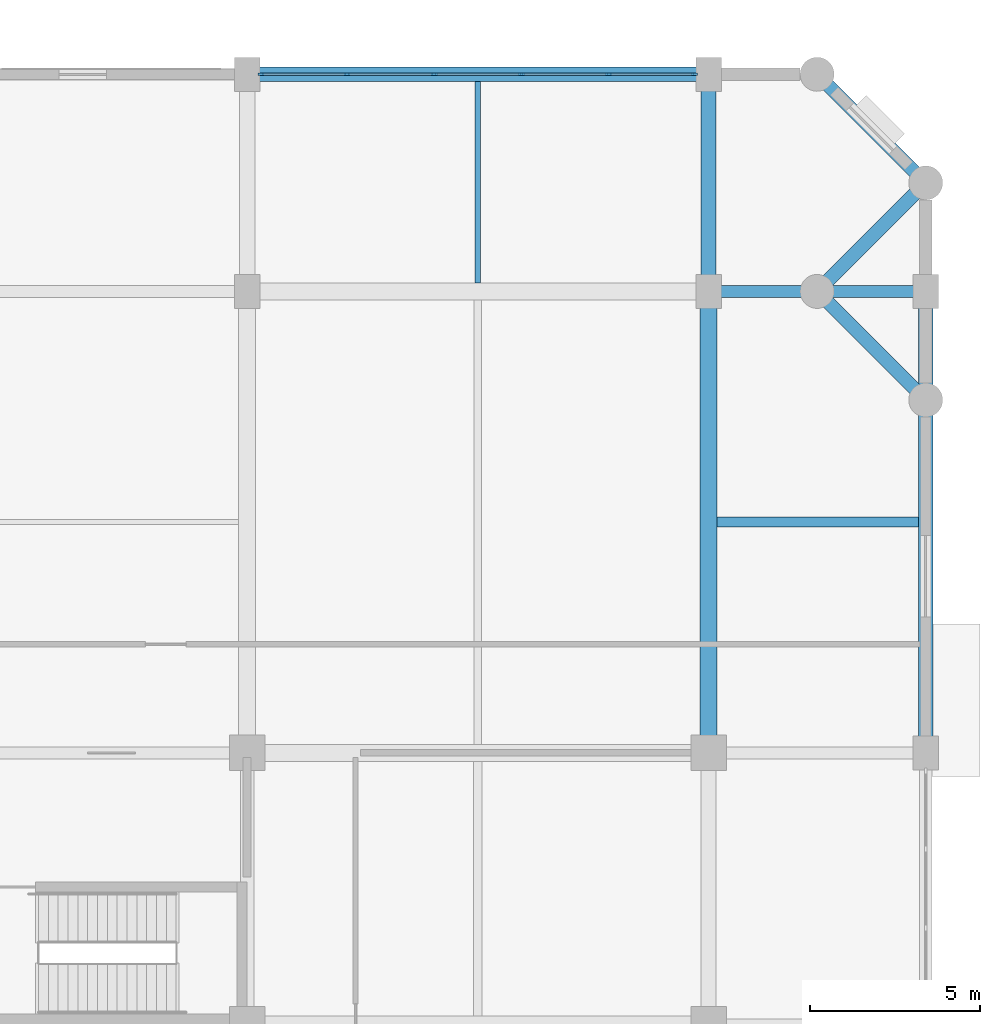
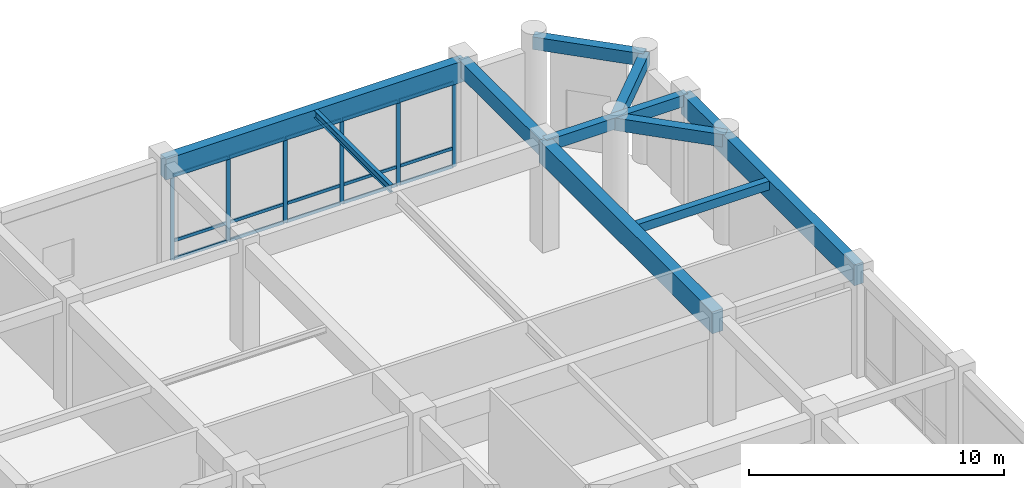
# One storey, part 19 of 40: 21 members, 10 beams, 1 element without a shape of its own.
"""IFC4 building model written with IfcOpenShell, lengths in metres."""

from ifc_helpers import new_model, si_unit, direction, frame, origin, origin_2d, place, context, subcontext, project, spatial, rectangle, i_section, extrude, material, material_profile, profile_set, type_object, element, aggregate, save


model = new_model("IFC4")

# Units and contexts
model_context = context("Model", 3, precision=1e-05, world=origin(), true_north=direction((0.0, 1.0)))
body_context = subcontext(model_context, "Body", "Model", "MODEL_VIEW")
ifc_project = project(units=[si_unit("LENGTHUNIT", "METRE"), si_unit("AREAUNIT", "SQUARE_METRE"), si_unit("VOLUMEUNIT", "CUBIC_METRE"), si_unit("PLANEANGLEUNIT", "RADIAN"), si_unit("MASSUNIT", "GRAM", prefix="KILO")], contexts=[model_context])

# Site, building, storey
site_placement = place(None, origin())
site = spatial("IfcSite", under=ifc_project, at=site_placement, CompositionType="ELEMENT")
building_placement = place(site_placement, origin())
building = spatial("IfcBuilding", under=site, at=building_placement, Name="Vellmiral Cinema and Media Centre", CompositionType="ELEMENT")
storey_placement = place(building_placement, origin())
storey = spatial("IfcBuildingStorey", under=building, at=storey_placement, Name="L00", CompositionType="ELEMENT", Elevation=0.0)

# Beams
ifc_material_1 = material(Name="Concrete C40/50", Category="concrete")
ifc_material_profile_1 = material_profile(ifc_material_1, rectangle(XDim=0.35009765625, YDim=0.550048828125, at=origin_2d()), Name="RC 350x550")
ifc_profile_set_1 = profile_set([ifc_material_profile_1], Name="Concrete C40/50")
beam_type_1 = type_object("IfcBeamType", Name="BM-RC-350x550", PredefinedType="BEAM", material=ifc_profile_set_1)
beam_1_placement = place(storey_placement, frame((161.60009765625, 108.800048828125, 4.800048828125), z_axis=(1.0, 0.0, 0.0), x_axis=(0.0, 1.0, 0.0)))
element("IfcBeam", 1, at=beam_1_placement, inside=storey, type_object=beam_type_1, Name="Grid Beam L00-X181", PredefinedType="BEAM", context=body_context, shape_type="SweptSolid", body=[
    extrude(rectangle(XDim=0.35009765625, YDim=0.550048828125, at=origin_2d()), origin(), (0.0, 0.0, 1.0), 6.39990234375),
])
ifc_material_2 = material(Name="Concrete C40/50", Category="concrete")
ifc_material_profile_2 = material_profile(ifc_material_2, rectangle(XDim=0.449951171875, YDim=0.75, at=origin_2d()), Name="RC 450x750")
ifc_profile_set_2 = profile_set([ifc_material_profile_2], Name="Concrete C40/50")
beam_type_2 = type_object("IfcBeamType", Name="BM-RC-450x750", PredefinedType="BEAM", material=ifc_profile_set_2)
beam_2_placement = place(storey_placement, frame((161.60009765625, 108.800048828125, 4.699951171875), z_axis=(0.0, 1.0, 0.0), x_axis=(-1.0, 0.0, 0.0)))
element("IfcBeam", 2, at=beam_2_placement, inside=storey, type_object=beam_type_2, Name="Grid Beam L00-Y363", PredefinedType="BEAM", context=body_context, shape_type="SweptSolid", body=[
    extrude(rectangle(XDim=0.449951171875, YDim=0.75, at=origin_2d()), origin(), (0.0, 0.0, 1.0), 6.39990234375),
])
ifc_material_3 = material(Name="Concrete C40/50", Category="concrete")
ifc_material_profile_3 = material_profile(ifc_material_3, rectangle(XDim=0.5, YDim=1.050048828125, at=origin_2d()), Name="RC 500x1050")
ifc_profile_set_3 = profile_set([ifc_material_profile_3], Name="Concrete C40/50")
beam_type_3 = type_object("IfcBeamType", Name="BM-RCG-500x1050", PredefinedType="BEAM", material=ifc_profile_set_3)
beam_3_placement = place(storey_placement, frame((161.60009765625, 95.199951171875, 4.550048828125), z_axis=(0.0, 1.0, 0.0), x_axis=(-1.0, 0.0, 0.0)))
element("IfcBeam", 3, at=beam_3_placement, inside=storey, type_object=beam_type_3, Name="Grid Beam L00-Y362", PredefinedType="BEAM", context=body_context, shape_type="SweptSolid", body=[
    extrude(rectangle(XDim=0.5, YDim=1.050048828125, at=origin_2d()), origin(), (0.0, 0.0, 1.0), 13.60009765625),
])

# Curtain wall, members
ifc_material_4 = material(Name="Thermally Broken Aluminium and Triple Glazing", Category="aluminium")
curtain_wall_type = type_object("IfcCurtainWallType", Name="CW-LIB-BAY", PredefinedType="USERDEFINED", material=ifc_material_4)
curtain_wall_placement = place(storey_placement, origin())
curtain_wall = element("IfcCurtainWall", 4, at=curtain_wall_placement, inside=storey, type_object=curtain_wall_type, Name="Curtain Wall L00-B047", ObjectType="STICK CURTAIN WALL", PredefinedType="USERDEFINED")
ifc_material_5 = material(Name="Thermally Broken Anodised Aluminium", Category="aluminium")
ifc_material_profile_4 = material_profile(ifc_material_5, rectangle(XDim=0.070068359375, YDim=0.179931640625, at=origin_2d()), Name="MULL 70x180")
ifc_profile_set_4 = profile_set([ifc_material_profile_4], Name="Thermally Broken Anodised Aluminium")
member_type_1 = type_object("IfcMemberType", Name="CWM-70x180", PredefinedType="MULLION", material=ifc_profile_set_4)
member_1_placement = place(storey_placement, frame((161.18994140625, 115.199951171875, 0.0), z_axis=(0.0, 0.0, 1.0), x_axis=(0.0, -1.0, 0.0)))
member_1 = element("IfcMember", 5, at=member_1_placement, type_object=member_type_1, Name="CW-03 mullion 1", PredefinedType="MULLION", context=body_context, shape_type="SweptSolid", body=[
    extrude(rectangle(XDim=0.070068359375, YDim=0.179931640625, at=origin_2d()), origin(), (0.0, 0.0, 1.0), 4.06494140625),
])
member_2_placement = place(storey_placement, frame((158.655029296875, 115.199951171875, 0.0), z_axis=(0.0, 0.0, 1.0), x_axis=(0.0, -1.0, 0.0)))
member_2 = element("IfcMember", 6, at=member_2_placement, type_object=member_type_1, Name="CW-03 mullion 2", PredefinedType="MULLION", context=body_context, shape_type="SweptSolid", body=[
    extrude(rectangle(XDim=0.070068359375, YDim=0.179931640625, at=origin_2d()), origin(), (0.0, 0.0, 1.0), 4.06494140625),
])
member_3_placement = place(storey_placement, frame((156.0849609375, 115.199951171875, 0.0), z_axis=(0.0, 0.0, 1.0), x_axis=(0.0, -1.0, 0.0)))
member_3 = element("IfcMember", 7, at=member_3_placement, type_object=member_type_1, Name="CW-03 mullion 3", PredefinedType="MULLION", context=body_context, shape_type="SweptSolid", body=[
    extrude(rectangle(XDim=0.070068359375, YDim=0.179931640625, at=origin_2d()), origin(), (0.0, 0.0, 1.0), 4.06494140625),
])
member_4_placement = place(storey_placement, frame((153.514892578125, 115.199951171875, 0.0), z_axis=(0.0, 0.0, 1.0), x_axis=(0.0, -1.0, 0.0)))
member_4 = element("IfcMember", 8, at=member_4_placement, type_object=member_type_1, Name="CW-03 mullion 4", PredefinedType="MULLION", context=body_context, shape_type="SweptSolid", body=[
    extrude(rectangle(XDim=0.070068359375, YDim=0.179931640625, at=origin_2d()), origin(), (0.0, 0.0, 1.0), 4.06494140625),
])
member_5_placement = place(storey_placement, frame((150.945068359375, 115.199951171875, 0.0), z_axis=(0.0, 0.0, 1.0), x_axis=(0.0, -1.0, 0.0)))
member_5 = element("IfcMember", 9, at=member_5_placement, type_object=member_type_1, Name="CW-03 mullion 5", PredefinedType="MULLION", context=body_context, shape_type="SweptSolid", body=[
    extrude(rectangle(XDim=0.070068359375, YDim=0.179931640625, at=origin_2d()), origin(), (0.0, 0.0, 1.0), 4.06494140625),
])
member_6_placement = place(storey_placement, frame((148.409912109375, 115.199951171875, 0.0), z_axis=(0.0, 0.0, 1.0), x_axis=(0.0, -1.0, 0.0)))
member_6 = element("IfcMember", 10, at=member_6_placement, type_object=member_type_1, Name="CW-03 mullion 6", PredefinedType="MULLION", context=body_context, shape_type="SweptSolid", body=[
    extrude(rectangle(XDim=0.070068359375, YDim=0.179931640625, at=origin_2d()), origin(), (0.0, 0.0, 1.0), 4.06494140625),
])
ifc_material_6 = material(Name="Thermally Broken Anodised Aluminium", Category="aluminium")
ifc_material_profile_5 = material_profile(ifc_material_6, rectangle(XDim=0.070068359375, YDim=0.14990234375, at=origin_2d()), Name="MULL 70x150")
ifc_profile_set_5 = profile_set([ifc_material_profile_5], Name="Thermally Broken Anodised Aluminium")
member_type_2 = type_object("IfcMemberType", Name="CWT-70x150", PredefinedType="USERDEFINED", material=ifc_profile_set_5)
member_7_placement = place(storey_placement, frame((161.155029296875, 115.199951171875, 0.034912109375), z_axis=(-1.0, 0.0, 0.0), x_axis=(0.0, -1.0, 0.0)))
member_7 = element("IfcMember", 11, at=member_7_placement, type_object=member_type_2, Name="CW-03 transom 1.1", ObjectType="TRANSOM", PredefinedType="USERDEFINED", context=body_context, shape_type="SweptSolid", body=[
    extrude(rectangle(XDim=0.070068359375, YDim=0.14990234375, at=origin_2d()), origin(), (0.0, 0.0, 1.0), 2.465087890625),
])
member_8_placement = place(storey_placement, frame((161.155029296875, 115.199951171875, 0.89990234375), z_axis=(-1.0, 0.0, 0.0), x_axis=(0.0, -1.0, 0.0)))
member_8 = element("IfcMember", 12, at=member_8_placement, type_object=member_type_2, Name="CW-03 transom 1.2", ObjectType="TRANSOM", PredefinedType="USERDEFINED", context=body_context, shape_type="SweptSolid", body=[
    extrude(rectangle(XDim=0.070068359375, YDim=0.14990234375, at=origin_2d()), origin(), (0.0, 0.0, 1.0), 2.465087890625),
])
member_9_placement = place(storey_placement, frame((161.155029296875, 115.199951171875, 4.030029296875), z_axis=(-1.0, 0.0, 0.0), x_axis=(0.0, -1.0, 0.0)))
member_9 = element("IfcMember", 13, at=member_9_placement, type_object=member_type_2, Name="CW-03 transom 1.3", ObjectType="TRANSOM", PredefinedType="USERDEFINED", context=body_context, shape_type="SweptSolid", body=[
    extrude(rectangle(XDim=0.070068359375, YDim=0.14990234375, at=origin_2d()), origin(), (0.0, 0.0, 1.0), 2.465087890625),
])
member_10_placement = place(storey_placement, frame((158.6201171875, 115.199951171875, 0.034912109375), z_axis=(-1.0, 0.0, 0.0), x_axis=(0.0, -1.0, 0.0)))
member_10 = element("IfcMember", 14, at=member_10_placement, type_object=member_type_2, Name="CW-03 transom 2.1", ObjectType="TRANSOM", PredefinedType="USERDEFINED", context=body_context, shape_type="SweptSolid", body=[
    extrude(rectangle(XDim=0.070068359375, YDim=0.14990234375, at=origin_2d()), origin(), (0.0, 0.0, 1.0), 2.5),
])
member_11_placement = place(storey_placement, frame((158.6201171875, 115.199951171875, 0.89990234375), z_axis=(-1.0, 0.0, 0.0), x_axis=(0.0, -1.0, 0.0)))
member_11 = element("IfcMember", 15, at=member_11_placement, type_object=member_type_2, Name="CW-03 transom 2.2", ObjectType="TRANSOM", PredefinedType="USERDEFINED", context=body_context, shape_type="SweptSolid", body=[
    extrude(rectangle(XDim=0.070068359375, YDim=0.14990234375, at=origin_2d()), origin(), (0.0, 0.0, 1.0), 2.5),
])
member_12_placement = place(storey_placement, frame((158.6201171875, 115.199951171875, 4.030029296875), z_axis=(-1.0, 0.0, 0.0), x_axis=(0.0, -1.0, 0.0)))
member_12 = element("IfcMember", 16, at=member_12_placement, type_object=member_type_2, Name="CW-03 transom 2.3", ObjectType="TRANSOM", PredefinedType="USERDEFINED", context=body_context, shape_type="SweptSolid", body=[
    extrude(rectangle(XDim=0.070068359375, YDim=0.14990234375, at=origin_2d()), origin(), (0.0, 0.0, 1.0), 2.5),
])
member_13_placement = place(storey_placement, frame((156.050048828125, 115.199951171875, 0.034912109375), z_axis=(-1.0, 0.0, 0.0), x_axis=(0.0, -1.0, 0.0)))
member_13 = element("IfcMember", 17, at=member_13_placement, type_object=member_type_2, Name="CW-03 transom 3.1", ObjectType="TRANSOM", PredefinedType="USERDEFINED", context=body_context, shape_type="SweptSolid", body=[
    extrude(rectangle(XDim=0.070068359375, YDim=0.14990234375, at=origin_2d()), origin(), (0.0, 0.0, 1.0), 2.5),
])
member_14_placement = place(storey_placement, frame((156.050048828125, 115.199951171875, 0.89990234375), z_axis=(-1.0, 0.0, 0.0), x_axis=(0.0, -1.0, 0.0)))
member_14 = element("IfcMember", 18, at=member_14_placement, type_object=member_type_2, Name="CW-03 transom 3.2", ObjectType="TRANSOM", PredefinedType="USERDEFINED", context=body_context, shape_type="SweptSolid", body=[
    extrude(rectangle(XDim=0.070068359375, YDim=0.14990234375, at=origin_2d()), origin(), (0.0, 0.0, 1.0), 2.5),
])
member_15_placement = place(storey_placement, frame((156.050048828125, 115.199951171875, 4.030029296875), z_axis=(-1.0, 0.0, 0.0), x_axis=(0.0, -1.0, 0.0)))
member_15 = element("IfcMember", 19, at=member_15_placement, type_object=member_type_2, Name="CW-03 transom 3.3", ObjectType="TRANSOM", PredefinedType="USERDEFINED", context=body_context, shape_type="SweptSolid", body=[
    extrude(rectangle(XDim=0.070068359375, YDim=0.14990234375, at=origin_2d()), origin(), (0.0, 0.0, 1.0), 2.5),
])
member_16_placement = place(storey_placement, frame((153.47998046875, 115.199951171875, 0.034912109375), z_axis=(-1.0, 0.0, 0.0), x_axis=(0.0, -1.0, 0.0)))
member_16 = element("IfcMember", 20, at=member_16_placement, type_object=member_type_2, Name="CW-03 transom 4.1", ObjectType="TRANSOM", PredefinedType="USERDEFINED", context=body_context, shape_type="SweptSolid", body=[
    extrude(rectangle(XDim=0.070068359375, YDim=0.14990234375, at=origin_2d()), origin(), (0.0, 0.0, 1.0), 2.5),
])
member_17_placement = place(storey_placement, frame((153.47998046875, 115.199951171875, 0.89990234375), z_axis=(-1.0, 0.0, 0.0), x_axis=(0.0, -1.0, 0.0)))
member_17 = element("IfcMember", 21, at=member_17_placement, type_object=member_type_2, Name="CW-03 transom 4.2", ObjectType="TRANSOM", PredefinedType="USERDEFINED", context=body_context, shape_type="SweptSolid", body=[
    extrude(rectangle(XDim=0.070068359375, YDim=0.14990234375, at=origin_2d()), origin(), (0.0, 0.0, 1.0), 2.5),
])
member_18_placement = place(storey_placement, frame((153.47998046875, 115.199951171875, 4.030029296875), z_axis=(-1.0, 0.0, 0.0), x_axis=(0.0, -1.0, 0.0)))
member_18 = element("IfcMember", 22, at=member_18_placement, type_object=member_type_2, Name="CW-03 transom 4.3", ObjectType="TRANSOM", PredefinedType="USERDEFINED", context=body_context, shape_type="SweptSolid", body=[
    extrude(rectangle(XDim=0.070068359375, YDim=0.14990234375, at=origin_2d()), origin(), (0.0, 0.0, 1.0), 2.5),
])
member_19_placement = place(storey_placement, frame((150.909912109375, 115.199951171875, 0.034912109375), z_axis=(-1.0, 0.0, 0.0), x_axis=(0.0, -1.0, 0.0)))
member_19 = element("IfcMember", 23, at=member_19_placement, type_object=member_type_2, Name="CW-03 transom 5.1", ObjectType="TRANSOM", PredefinedType="USERDEFINED", context=body_context, shape_type="SweptSolid", body=[
    extrude(rectangle(XDim=0.070068359375, YDim=0.14990234375, at=origin_2d()), origin(), (0.0, 0.0, 1.0), 2.46484375),
])
member_20_placement = place(storey_placement, frame((150.909912109375, 115.199951171875, 0.89990234375), z_axis=(-1.0, 0.0, 0.0), x_axis=(0.0, -1.0, 0.0)))
member_20 = element("IfcMember", 24, at=member_20_placement, type_object=member_type_2, Name="CW-03 transom 5.2", ObjectType="TRANSOM", PredefinedType="USERDEFINED", context=body_context, shape_type="SweptSolid", body=[
    extrude(rectangle(XDim=0.070068359375, YDim=0.14990234375, at=origin_2d()), origin(), (0.0, 0.0, 1.0), 2.46484375),
])
member_21_placement = place(storey_placement, frame((150.909912109375, 115.199951171875, 4.030029296875), z_axis=(-1.0, 0.0, 0.0), x_axis=(0.0, -1.0, 0.0)))
member_21 = element("IfcMember", 25, at=member_21_placement, type_object=member_type_2, Name="CW-03 transom 5.3", ObjectType="TRANSOM", PredefinedType="USERDEFINED", context=body_context, shape_type="SweptSolid", body=[
    extrude(rectangle(XDim=0.070068359375, YDim=0.14990234375, at=origin_2d()), origin(), (0.0, 0.0, 1.0), 2.46484375),
])
aggregate(curtain_wall, [member_1, member_2, member_3, member_4, member_5, member_6, member_7, member_8, member_9, member_10, member_11, member_12, member_13, member_14, member_15, member_16, member_17, member_18, member_19, member_20, member_21])

# Beams
ifc_material_7 = material(Name="Concrete C40/50", Category="concrete")
ifc_material_profile_6 = material_profile(ifc_material_7, rectangle(XDim=0.300048828125, YDim=0.419921875, at=origin_2d()), Name="RC 300x420")
ifc_profile_set_6 = profile_set([ifc_material_profile_6], Name="Concrete C40/50")
beam_type_4 = type_object("IfcBeamType", Name="JST-RC-300x420", PredefinedType="JOIST", material=ifc_profile_set_6)
beam_4_placement = place(storey_placement, frame((161.85009765625, 102.0, 4.864990234375), z_axis=(1.0, 0.0, 0.0), x_axis=(0.0, 1.0, 0.0)))
element("IfcBeam", 26, at=beam_4_placement, inside=storey, type_object=beam_type_4, Name="Secondary Floor Joist L00-036", PredefinedType="JOIST", context=body_context, shape_type="SweptSolid", body=[
    extrude(rectangle(XDim=0.300048828125, YDim=0.419921875, at=origin_2d()), origin(), (0.0, 0.0, 1.0), 5.93994140625),
])
ifc_material_8 = material(Name="Steel S355", Category="steel")
ifc_material_profile_7 = material_profile(ifc_material_8, i_section(OverallWidth=0.169921875, OverallDepth=0.360107421875, WebThickness=0.008056640625, FlangeThickness=0.0126953125, FilletRadius=0.01806640625, at=origin_2d()), Name="IPE 360")
ifc_profile_set_7 = profile_set([ifc_material_profile_7], Name="Steel S355")
beam_type_5 = type_object("IfcBeamType", Name="SBM-IPE360", PredefinedType="JOIST", material=ifc_profile_set_7)
beam_5_placement = place(storey_placement, frame((154.800048828125, 109.050048828125, 4.89501953125), z_axis=(0.0, 1.0, 0.0), x_axis=(-1.0, 0.0, 0.0)))
element("IfcBeam", 27, at=beam_5_placement, inside=storey, type_object=beam_type_5, Name="Secondary Floor Joist L00-035", PredefinedType="JOIST", context=body_context, shape_type="SweptSolid", body=[
    extrude(i_section(OverallWidth=0.169921875, OverallDepth=0.360107421875, WebThickness=0.008056640625, FlangeThickness=0.0126953125, FilletRadius=0.01806640625, at=origin_2d()), origin(), (0.0, 0.0, 1.0), 5.93994140625),
])
ifc_material_9 = material(Name="Concrete C40/50", Category="concrete")
ifc_material_profile_8 = material_profile(ifc_material_9, rectangle(XDim=0.39990234375, YDim=0.60009765625, at=origin_2d()), Name="RC 400x600")
ifc_profile_set_8 = profile_set([ifc_material_profile_8], Name="Concrete C40/50")
beam_type_6 = type_object("IfcBeamType", Name="SPD-RC-400x600", PredefinedType="SPANDREL", material=ifc_profile_set_8)
for number, where, z_axis, x_axis, name in (
    (28, (164.800048828125, 108.800048828125, 4.77490234375), (0.707106781187, -0.707106781187, 0.0), (0.707106781187, 0.707106781187, 0.0), "Xamfra Chamfer Spandrel Beam L00-372"),
    (29, (164.800048828125, 108.800048828125, 4.77490234375), (0.707106781187, 0.707106781187, 0.0), (-0.707106781187, 0.707106781187, 0.0), "Xamfra Chamfer Spandrel Beam L00-373"),
    (30, (164.800048828125, 115.199951171875, 4.77490234375), (0.707106781187, -0.707106781187, 0.0), (0.707106781187, 0.707106781187, 0.0), "Xamfra Chamfer Spandrel Beam L00-374"),
):
    element("IfcBeam", number, at=place(storey_placement, frame(where, z_axis=z_axis, x_axis=x_axis)), inside=storey, type_object=beam_type_6, Name=name, PredefinedType="SPANDREL", context=body_context, shape_type="SweptSolid", body=[
        extrude(rectangle(XDim=0.39990234375, YDim=0.60009765625, at=origin_2d()), origin(), (0.0, 0.0, 1.0), 4.525390625),
    ])
ifc_material_10 = material(Name="Vosges Red Sandstone Masonry", Category="masonry")
ifc_material_profile_9 = material_profile(ifc_material_10, rectangle(XDim=0.419921875, YDim=1.0, at=origin_2d()), Name="SAND 420x1000")
ifc_profile_set_9 = profile_set([ifc_material_profile_9], Name="Vosges Red Sandstone Masonry")
beam_type_7 = type_object("IfcBeamType", Name="SPD-SANDG-420x1000", PredefinedType="SPANDREL", material=ifc_profile_set_9)
for number, where, z_axis, x_axis, name in (
    (31, (148.0, 115.199951171875, 4.574951171875), (1.0, 0.0, 0.0), (0.0, 1.0, 0.0), "Grid Beam L00-X187"),
    (32, (168.0, 95.199951171875, 4.574951171875), (0.0, 1.0, 0.0), (-1.0, 0.0, 0.0), "Grid Beam L00-Y368"),
):
    element("IfcBeam", number, at=place(storey_placement, frame(where, z_axis=z_axis, x_axis=x_axis)), inside=storey, type_object=beam_type_7, Name=name, PredefinedType="SPANDREL", context=body_context, shape_type="SweptSolid", body=[
        extrude(rectangle(XDim=0.419921875, YDim=1.0, at=origin_2d()), origin(), (0.0, 0.0, 1.0), 13.60009765625),
    ])

save(model, "model.ifc")
